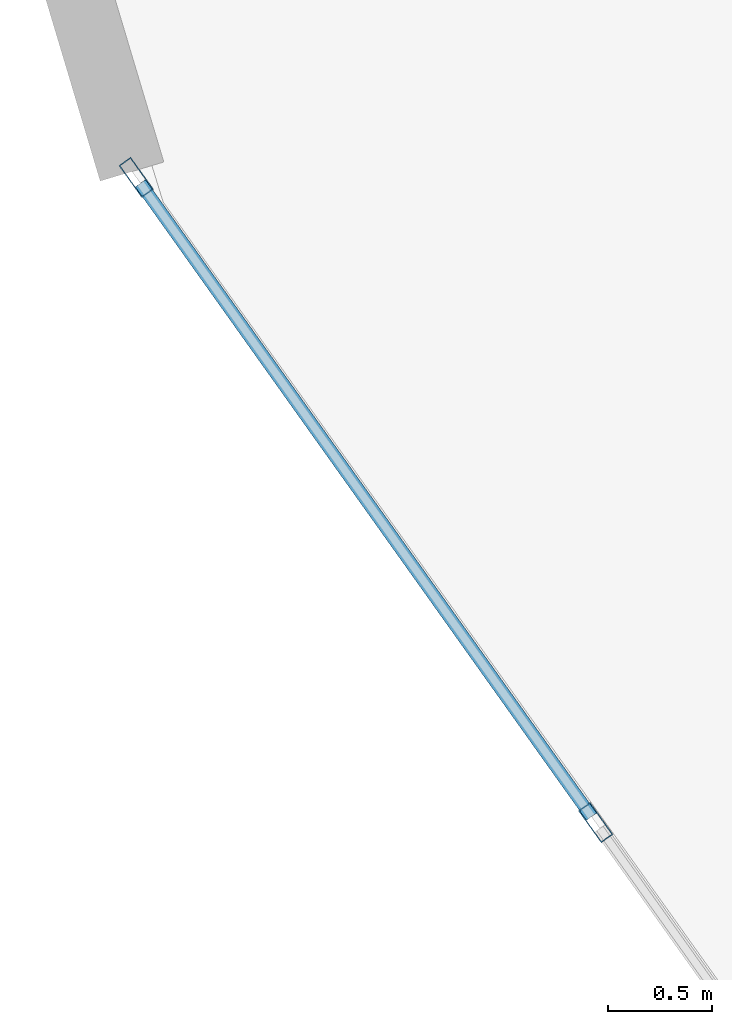
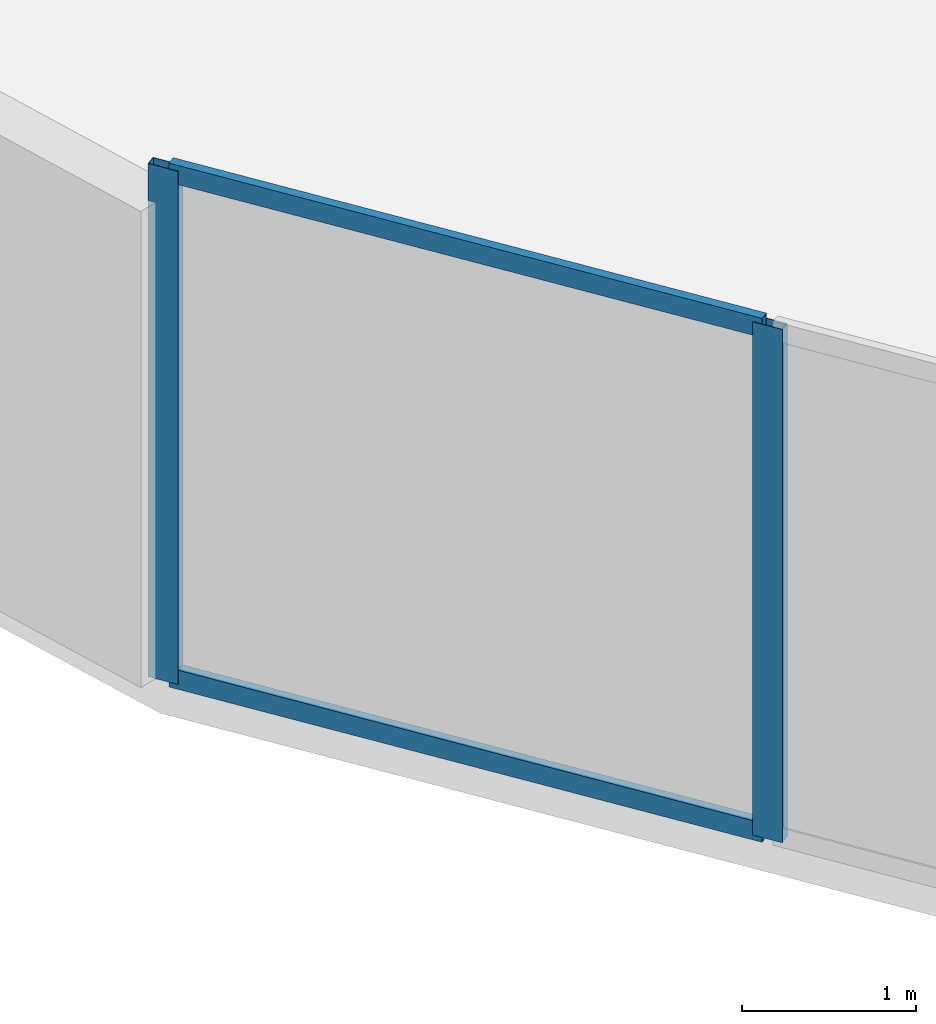
# One storey, part 3 of 25: 4 members, 1 element without a shape of its own.
"""IFC4 building model written with IfcOpenShell, lengths in metres."""

from ifc_helpers import new_model, si_unit, direction, frame, origin, origin_2d, place, context, subcontext, project, spatial, hollow_rectangle, extrude, source, transform, mapped, material, layer, layer_set, material_profile, profile_set, type_object, element, aggregate, save


model = new_model("IFC4")

# Units and contexts
model_context = context("Model", 3, precision=1e-05, world=origin(), true_north=direction((0.0, 1.0)))
body_context = subcontext(model_context, "Body", "Model", "MODEL_VIEW")
ifc_project = project(units=[si_unit("LENGTHUNIT", "METRE"), si_unit("AREAUNIT", "SQUARE_METRE"), si_unit("VOLUMEUNIT", "CUBIC_METRE"), si_unit("PLANEANGLEUNIT", "RADIAN"), si_unit("MASSUNIT", "GRAM", prefix="KILO")], contexts=[model_context])

# Site, building, storey
site_placement = place(None, origin())
site = spatial("IfcSite", under=ifc_project, at=site_placement, CompositionType="ELEMENT")
building_placement = place(site_placement, origin())
building = spatial("IfcBuilding", under=site, at=building_placement, Name="Solvirekh Grand Hotel", CompositionType="ELEMENT")
storey_placement = place(building_placement, frame((0.0, 0.0, 60.800048828125)))
storey = spatial("IfcBuildingStorey", under=building, at=storey_placement, Name="L14", CompositionType="ELEMENT", Elevation=60.800048828125)

# Curtain wall, members
ifc_material = material(Name="Anodized Bronze Aluminium 6063-T6", Category="aluminium")
ifc_layer = layer(ifc_material, 0.18994140625)
ifc_layer_set = layer_set([ifc_layer], Name="Anodized Bronze Aluminium 6063-T6")
curtain_wall_type = type_object("IfcCurtainWallType", Name="CW_Sys2_LowZoneFlushBronzeCW", PredefinedType="NOTDEFINED", material=ifc_layer_set)
curtain_wall_placement = place(storey_placement, origin())
curtain_wall = element("IfcCurtainWall", 1, at=curtain_wall_placement, inside=storey, type_object=curtain_wall_type, Name="L14 unitised bronze-glass curtain wall CW-L14-C13", PredefinedType="NOTDEFINED")
ifc_material_profile_1 = material_profile(ifc_material, hollow_rectangle(XDim=0.06005859375, YDim=0.135009765625, WallThickness=0.00390625, at=origin_2d()), Name="ALU RHS 135X60X4")
ifc_profile_set_1 = profile_set([ifc_material_profile_1], Name="Anodized Bronze Aluminium 6063-T6")
member_type_1 = type_object("IfcMemberType", Name="CWTransom_Sys2", PredefinedType="USERDEFINED", material=ifc_profile_set_1)
shared_shape_1 = source(origin(), body_context, "Body", "SweptSolid", [
    extrude(hollow_rectangle(XDim=0.06005859375, YDim=0.135009765625, WallThickness=0.00390625, at=origin_2d()), origin(), (0.0, 0.0, 1.0), 3.74755859375),
])
member_1_placement = place(storey_placement, frame((-25.597412109375, -6.739990234375, 0.030029296875), z_axis=(0.580128404725, -0.814525035853, 0.0), x_axis=(0.814525035853, 0.580128404725, 0.0)))
member_1 = element("IfcMember", 2, at=member_1_placement, type_object=member_type_1, Name="U02 transom 1.1", ObjectType="TRANSOM", PredefinedType="USERDEFINED", context=body_context, shape_type="MappedRepresentation", body=[
    mapped(shared_shape_1, transform((0.0, 0.0, 0.0), x_axis=(1.0, 0.0, 0.0), y_axis=(0.0, 1.0, 0.0), z_axis=(0.0, 0.0, 1.0), scale=1.0)),
])
member_2_placement = place(storey_placement, frame((-25.597412109375, -6.739990234375, 3.570068359375), z_axis=(0.580128404725, -0.814525035853, 0.0), x_axis=(0.814525035853, 0.580128404725, 0.0)))
member_2 = element("IfcMember", 3, at=member_2_placement, type_object=member_type_1, Name="U02 transom 1.2", ObjectType="TRANSOM", PredefinedType="USERDEFINED", context=body_context, shape_type="MappedRepresentation", body=[
    mapped(shared_shape_1, transform((0.0, 0.0, 0.0), x_axis=(1.0, 0.0, 0.0), y_axis=(0.0, 1.0, 0.0), z_axis=(0.0, 0.0, 1.0), scale=1.0)),
])
ifc_material_profile_2 = material_profile(ifc_material, hollow_rectangle(XDim=0.070068359375, YDim=0.18994140625, WallThickness=0.0048828125, at=origin_2d()), Name="ALU RHS 190X70X5")
ifc_profile_set_2 = profile_set([ifc_material_profile_2], Name="Anodized Bronze Aluminium 6063-T6")
member_type_2 = type_object("IfcMemberType", Name="CWMullion_Sys2", PredefinedType="MULLION", material=ifc_profile_set_2)
shared_shape_2 = source(origin(), body_context, "Body", "SweptSolid", [
    extrude(hollow_rectangle(XDim=0.070068359375, YDim=0.18994140625, WallThickness=0.0048828125, at=origin_2d()), origin(), (0.0, 0.0, 1.0), 3.599853515625),
])
member_3_placement = place(storey_placement, frame((-25.61767578125, -6.71142578125, 0.0), z_axis=(0.0, 0.0, 1.0), x_axis=(0.814521945724, 0.580132743373, 0.0)))
member_3 = element("IfcMember", 4, at=member_3_placement, type_object=member_type_2, Name="U02 mullion 1", PredefinedType="MULLION", context=body_context, shape_type="MappedRepresentation", body=[
    mapped(shared_shape_2, transform((0.0, 0.0, 0.0), x_axis=(1.0, 0.0, 0.0), y_axis=(0.0, 1.0, 0.0), z_axis=(0.0, 0.0, 1.0), scale=1.0)),
])
member_4_placement = place(storey_placement, frame((-23.403076171875, -9.821044921875, 0.0), z_axis=(0.0, 0.0, 1.0), x_axis=(0.814521945724, 0.580132743373, 0.0)))
member_4 = element("IfcMember", 5, at=member_4_placement, type_object=member_type_2, Name="U02 mullion 2", PredefinedType="MULLION", context=body_context, shape_type="MappedRepresentation", body=[
    mapped(shared_shape_2, transform((0.0, 0.0, 0.0), x_axis=(1.0, 0.0, 0.0), y_axis=(0.0, 1.0, 0.0), z_axis=(0.0, 0.0, 1.0), scale=1.0)),
])
aggregate(curtain_wall, [member_3, member_4, member_1, member_2])

save(model, "model.ifc")
